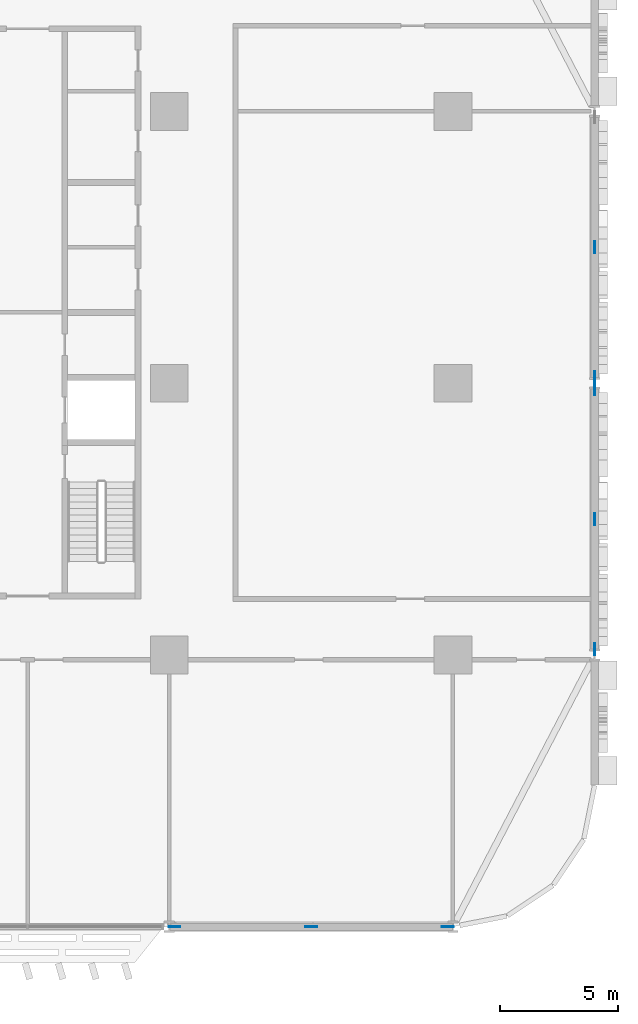
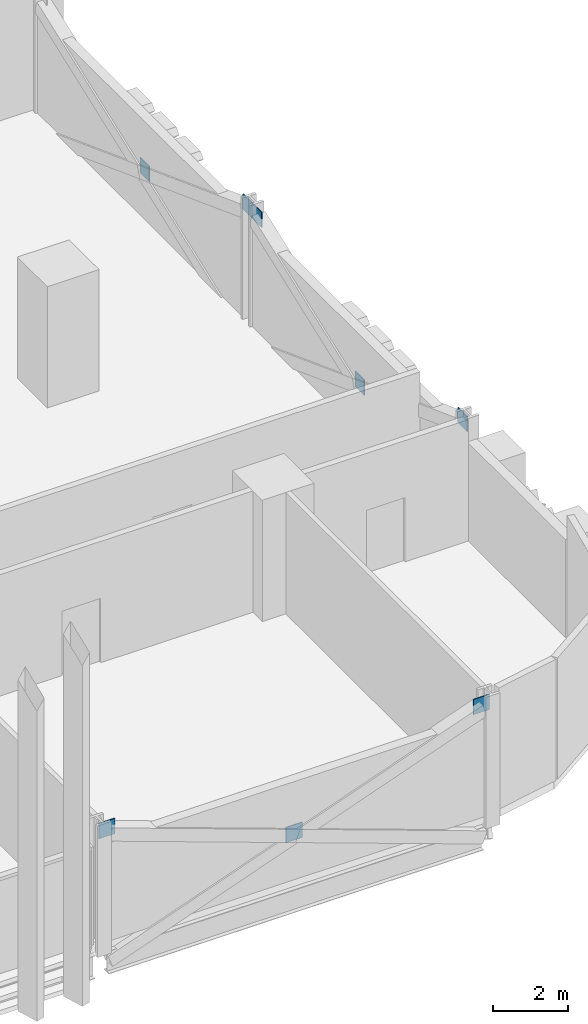
# One storey, part 21 of 29: 8 discrete accessories.
"""IFC4 building model written with IfcOpenShell, lengths in metres."""

import ifcopenshell
import ifcopenshell.guid

model = None  # the IFC model being written
_history = None  # IfcOwnerHistory: only IFC2X3 demands one
_inside = {}  # id of a spatial element -> (the spatial element, [elements in it])
_under = {}  # id of a project, library or spatial element -> (it, [spatial elements below it])
_declared = {}  # id of a project -> (the project, [libraries it declares])
_typed = {}  # id of a type object -> (the type object, [elements of that type])
_made_of = {}  # id of a material, layer set ... -> (it, [elements and type objects made of it])


def new_model(schema):
    """Start an empty IFC model of exactly this schema.

    Asked for "IFC4X3", IfcOpenShell would pick the latest addendum, in which some entities
    have other attributes; the version numbers below select the first issue.
    IFC2X3 requires an IfcOwnerHistory on every rooted entity: one is made here for all.
    """
    global model, _history
    if schema == "IFC4X3":
        model = ifcopenshell.file(schema_version=(4, 3, 0, 0))
    else:
        model = ifcopenshell.file(schema=schema)
    _inside.clear()
    _under.clear()
    _declared.clear()
    _typed.clear()
    _made_of.clear()
    _history = None
    if model.schema == "IFC2X3":
        org = make("IfcOrganization", Name="unknown")
        user = make(
            "IfcPersonAndOrganization",
            ThePerson=make("IfcPerson", FamilyName="unknown"),
            TheOrganization=org,
        )
        app = make(
            "IfcApplication",
            ApplicationDeveloper=org,
            Version="unknown",
            ApplicationFullName="unknown",
            ApplicationIdentifier="unknown",
        )
        _history = make(
            "IfcOwnerHistory",
            OwningUser=user,
            OwningApplication=app,
            ChangeAction="ADDED",
            CreationDate=0,
        )
    return model


def make(cls, **values):
    """One entity of the class cls with the attributes given. An attribute that is None is left unset."""
    return model.create_entity(
        cls, **{name: value for name, value in values.items() if value is not None}
    )


def rooted(cls, **values):
    """An entity with a GlobalId (a new one), such as an element, a storey or a relation."""
    return make(cls, GlobalId=ifcopenshell.guid.new(), OwnerHistory=_history, **values)


def si_unit(unit_type, name, prefix=None):
    """IfcSIUnit, for example si_unit("LENGTHUNIT", "METRE", prefix="MILLI")."""
    return make("IfcSIUnit", UnitType=unit_type, Prefix=prefix, Name=name)


def assignment(units):
    """IfcUnitAssignment: the units of a project."""
    return None if units is None else make("IfcUnitAssignment", Units=units)


def point(xyz):
    """IfcCartesianPoint."""
    return None if xyz is None else make("IfcCartesianPoint", Coordinates=xyz)


def direction(xyz):
    """IfcDirection."""
    return None if xyz is None else make("IfcDirection", DirectionRatios=xyz)


def frame(location, z_axis=None, x_axis=None):
    """IfcAxis2Placement3D, a coordinate frame: its origin and axes. An axis left out is left unset."""
    return make(
        "IfcAxis2Placement3D",
        Location=point(location),
        Axis=direction(z_axis),
        RefDirection=direction(x_axis),
    )


def frame_2d(location, x_axis=None):
    """IfcAxis2Placement2D, a coordinate frame in the plane: its origin and x axis."""
    return make(
        "IfcAxis2Placement2D", Location=point(location), RefDirection=direction(x_axis)
    )


def origin():
    """The frame at (0, 0, 0) with its axes left unset."""
    return frame((0.0, 0.0, 0.0))


def origin_2d():
    """The frame at (0, 0) in the plane with its x axis left unset."""
    return frame_2d((0.0, 0.0))


def place(relative_to, where):
    """IfcLocalPlacement: puts the frame where relative to a parent placement (None: the world)."""
    return make(
        "IfcLocalPlacement", PlacementRelTo=relative_to, RelativePlacement=where
    )


def context(
    kind, dimensions, precision=None, world=None, true_north=None, identifier=None
):
    """IfcGeometricRepresentationContext, for example the 3D "Model" context."""
    return make(
        "IfcGeometricRepresentationContext",
        ContextIdentifier=identifier,
        ContextType=kind,
        CoordinateSpaceDimension=dimensions,
        Precision=precision,
        WorldCoordinateSystem=world,
        TrueNorth=true_north,
    )


def subcontext(parent, identifier, kind, view, scale=None):
    """IfcGeometricRepresentationSubContext, for example "Body" below "Model"."""
    return make(
        "IfcGeometricRepresentationSubContext",
        ContextIdentifier=identifier,
        ContextType=kind,
        ParentContext=parent,
        TargetScale=scale,
        TargetView=view,
    )


def project(units=None, contexts=None):
    """IfcProject with its units and contexts."""
    return rooted(
        "IfcProject",
        Name="project",
        RepresentationContexts=contexts,
        UnitsInContext=assignment(units),
    )


def spatial(cls, under=None, at=None, **own):
    """A site, building, storey or space (cls), placed at a placement, below another one or the project."""
    s = rooted(cls, ObjectPlacement=at, **own)
    if under is not None:
        _under.setdefault(under.id(), (under, []))[1].append(s)
    return s


def profile(cls, at=None, kind="AREA", **sizes):
    """A parametric profile (cls). Its sizes go by their IFC names, for example OverallWidth=200.0."""
    return make(cls, ProfileType=kind, Position=at, **sizes)


def rectangle(**sizes):
    """IfcRectangleProfileDef."""
    return profile("IfcRectangleProfileDef", **sizes)


def extrude(swept, where, along, depth):
    """IfcExtrudedAreaSolid: the profile swept, set in the frame where, extruded along a direction by depth."""
    return make(
        "IfcExtrudedAreaSolid",
        SweptArea=swept,
        Position=where,
        ExtrudedDirection=direction(along),
        Depth=depth,
    )


def shape(context_of_items, identifier, shape_type, items):
    """IfcShapeRepresentation: the items that make up one representation, for example the "Body"."""
    return make(
        "IfcShapeRepresentation",
        ContextOfItems=context_of_items,
        RepresentationIdentifier=identifier,
        RepresentationType=shape_type,
        Items=items,
    )


def material(Name=None, Category=None):
    """IfcMaterial."""
    return make("IfcMaterial", Name=Name, Category=Category)


def layer(
    of_material, thickness, ventilated=None, Name=None, Category=None, Priority=None
):
    """IfcMaterialLayer: one layer of a wall or slab, of a material (None: an air gap)."""
    return make(
        "IfcMaterialLayer",
        Material=of_material,
        LayerThickness=thickness,
        IsVentilated=ventilated,
        Name=Name,
        Category=Category,
        Priority=Priority,
    )


def layer_set(layers, Name=None):
    """IfcMaterialLayerSet."""
    return make("IfcMaterialLayerSet", MaterialLayers=layers, LayerSetName=Name)


def made_of(thing, what):
    """Note that an element or type object is made of a material, layer set ...; save() writes the relation."""
    if what is not None:
        _made_of.setdefault(what.id(), (what, []))[1].append(thing)
    return thing


def type_object(cls, material=None, **own):
    """A type object (cls), such as IfcWallType, which elements share."""
    return made_of(rooted(cls, **own), material)


def element(
    cls,
    number,
    at=None,
    inside=None,
    cuts=None,
    type_object=None,
    material=None,
    context=None,
    identifier="Body",
    shape_type=None,
    held_by="IfcProductDefinitionShape",
    body=None,
    shapes=None,
    **own,
):
    """One element of the class cls, such as IfcWall. Its Tag is "e" and its number.

    at: its placement. inside: the storey or other place that contains it. cuts: it is an
    opening in that element (IfcRelVoidsElement). A single representation is given by context,
    identifier, shape_type and body (its items); several are given by shapes. held_by: the class
    of the entity that holds the representations. save() writes the other relations.
    """
    e = rooted(cls, Tag="e%d" % number, ObjectPlacement=at, **own)
    if body is not None:
        shapes = [shape(context, identifier, shape_type, body)]
    if shapes is not None:
        e.Representation = make(held_by, Representations=shapes)
    if inside is not None:
        _inside.setdefault(inside.id(), (inside, []))[1].append(e)
    if cuts is not None:
        rooted(
            "IfcRelVoidsElement", RelatingBuildingElement=cuts, RelatedOpeningElement=e
        )
    if type_object is not None:
        _typed.setdefault(type_object.id(), (type_object, []))[1].append(e)
    return made_of(e, material)


def aggregate(whole, parts):
    """IfcRelAggregates: a whole, such as a stair, and the parts it consists of."""
    return rooted("IfcRelAggregates", RelatingObject=whole, RelatedObjects=parts)


def save(model, path):
    """Write the relations noted so far, then the file.

    IfcRelAggregates (storeys below a building ...), IfcRelContainedInSpatialStructure (elements
    in a storey), IfcRelDefinesByType, IfcRelAssociatesMaterial and IfcRelDeclares: one each for
    every whole, place, type object, material and project.
    """
    for whole, parts in _under.values():
        aggregate(whole, parts)
    for where, things in _inside.values():
        rooted(
            "IfcRelContainedInSpatialStructure",
            RelatedElements=things,
            RelatingStructure=where,
        )
    for kind, things in _typed.values():
        rooted("IfcRelDefinesByType", RelatedObjects=things, RelatingType=kind)
    for what, things in _made_of.values():
        rooted("IfcRelAssociatesMaterial", RelatedObjects=things, RelatingMaterial=what)
    for by, libraries in _declared.values():
        rooted("IfcRelDeclares", RelatingContext=by, RelatedDefinitions=libraries)
    model.write(path)


model = new_model("IFC4")

# Units and contexts
model_context = context("Model", 3, precision=1e-05, world=origin(), true_north=direction((0.0, 1.0)))
body_context = subcontext(model_context, "Body", "Model", "MODEL_VIEW")
ifc_project = project(units=[si_unit("LENGTHUNIT", "METRE"), si_unit("AREAUNIT", "SQUARE_METRE"), si_unit("VOLUMEUNIT", "CUBIC_METRE"), si_unit("PLANEANGLEUNIT", "RADIAN"), si_unit("MASSUNIT", "GRAM", prefix="KILO")], contexts=[model_context])

# Site, building, storey
site_placement = place(None, origin())
site = spatial("IfcSite", under=ifc_project, at=site_placement, CompositionType="ELEMENT")
building_placement = place(site_placement, origin())
building = spatial("IfcBuilding", under=site, at=building_placement, Name="Mahtab Terrace Research Tower", CompositionType="ELEMENT")
storey_placement = place(building_placement, frame((0.0, 0.0, 24.39990234375)))
storey = spatial("IfcBuildingStorey", under=building, at=storey_placement, Name="L05", CompositionType="ELEMENT", Elevation=24.39990234375)

# Discrete accessories
ifc_material = material(Name="Steel ASTM A992 Gr 50", Category="steel")
ifc_layer = layer(ifc_material, 0.030029296875)
ifc_layer_set = layer_set([ifc_layer], Name="Gusset plate 500x500x30")
discrete_accessory_type = type_object("IfcDiscreteAccessoryType", Name="Gusset plate 500x500x30", PredefinedType="USERDEFINED", material=ifc_layer_set)
for number, where, z_axis, x_axis, name in (
    (1, (30.2158203125, -23.0, 3.33154296875), (0.0, 0.0, 1.0), (1.0, 0.0, 0.0), "Gusset plate"),
    (2, (36.0, -23.0, 1.181640625), (0.0, 0.0, 1.0), (1.0, 0.0, 0.0), "Gusset plate"),
    (3, (41.7841796875, -23.0, 3.33154296875), (0.0, 0.0, 1.0), (1.0, 0.0, 0.0), "Gusset plate"),
    (4, (48.0, -11.251220703125, 3.33154296875), (0.0, 0.0, 1.0), (0.0, 1.0, 0.0), "Gusset plate"),
    (5, (48.0, -5.75, 1.181640625), (0.0, 0.0, 1.0), (0.0, 1.0, 0.0), "Gusset plate"),
    (6, (48.0, -0.248779296875, 3.33154296875), (0.0, 0.0, 1.0), (0.0, 1.0, 0.0), "Gusset plate"),
    (7, (48.0, 0.248779296875, 3.33154296875), (0.0, 0.0, 1.0), (0.0, 1.0, 0.0), "Gusset plate"),
    (8, (48.0, 5.75, 1.181640625), (0.0, 0.0, 1.0), (0.0, 1.0, 0.0), "Gusset plate"),
):
    element("IfcDiscreteAccessory", number, at=place(storey_placement, frame(where, z_axis=z_axis, x_axis=x_axis)), inside=storey, type_object=discrete_accessory_type, Name=name, ObjectType="GUSSET PLATE", PredefinedType="USERDEFINED", context=body_context, shape_type="SweptSolid", body=[
        extrude(rectangle(XDim=0.5, YDim=0.030029296875, at=origin_2d()), origin(), (0.0, 0.0, 1.0), 0.5),
    ])

save(model, "model.ifc")
